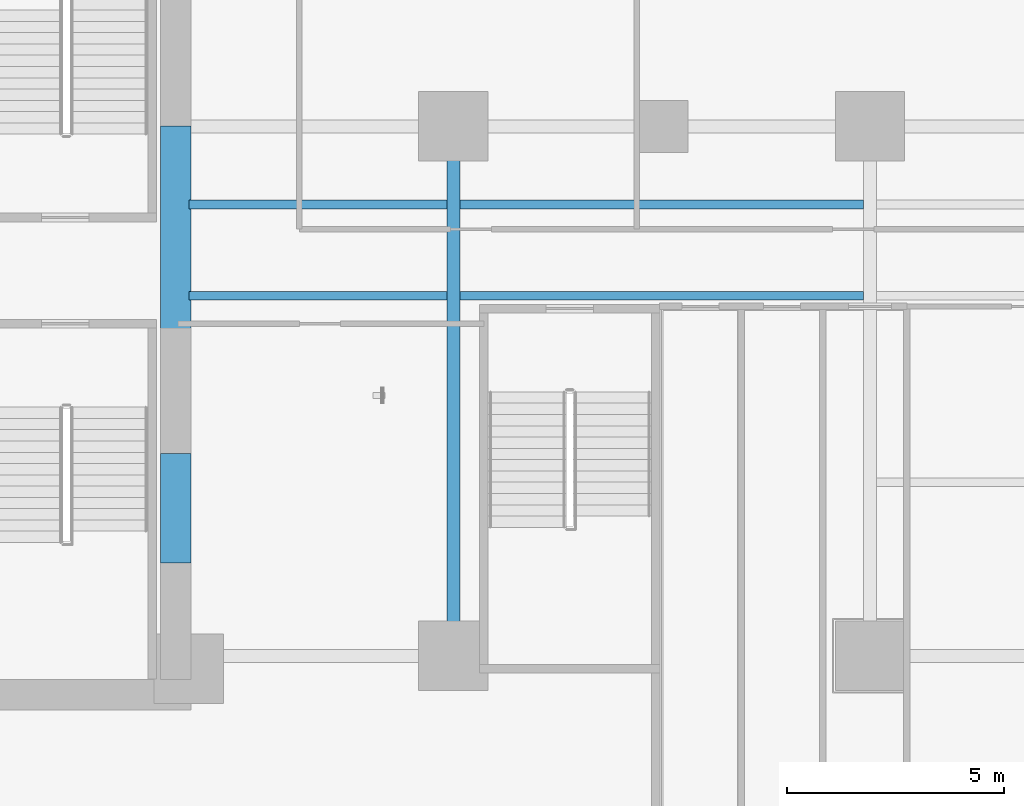
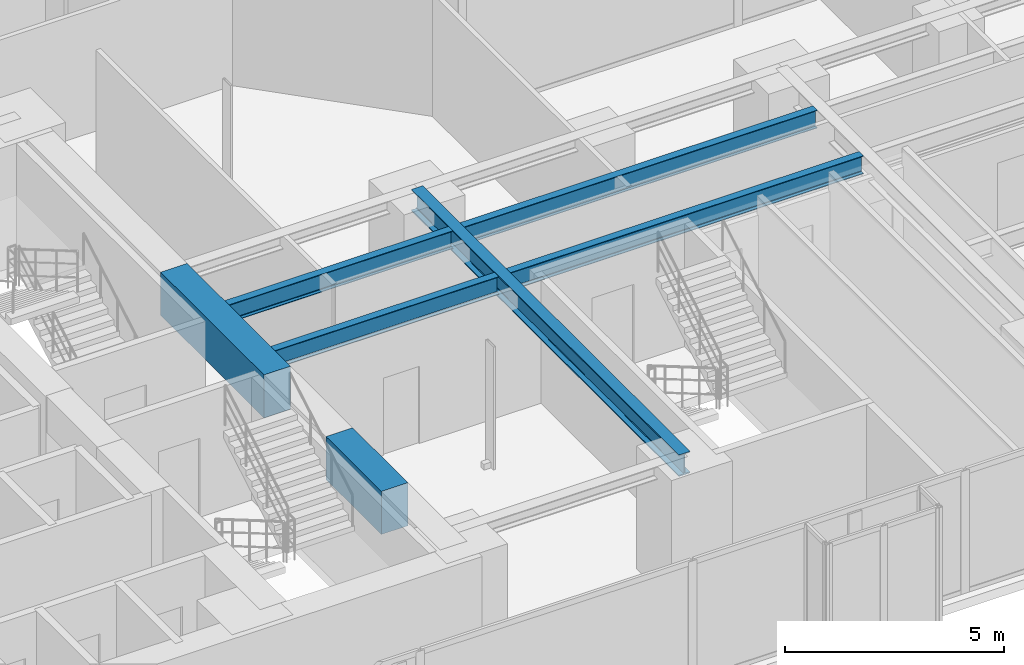
# One storey, part 5 of 28: 7 beams.
"""IFC4 building model written with IfcOpenShell, lengths in metres."""

from ifc_helpers import new_model, si_unit, direction, frame, origin, origin_2d, place, context, subcontext, project, spatial, rectangle, i_section, extrude, material, material_profile, profile_set, type_object, element, save


model = new_model("IFC4")

# Units and contexts
model_context = context("Model", 3, precision=1e-05, world=origin(), true_north=direction((0.0, 1.0)))
body_context = subcontext(model_context, "Body", "Model", "MODEL_VIEW")
ifc_project = project(units=[si_unit("LENGTHUNIT", "METRE"), si_unit("AREAUNIT", "SQUARE_METRE"), si_unit("VOLUMEUNIT", "CUBIC_METRE"), si_unit("PLANEANGLEUNIT", "RADIAN"), si_unit("MASSUNIT", "GRAM", prefix="KILO")], contexts=[model_context])

# Site, building, storey
site_placement = place(None, origin())
site = spatial("IfcSite", under=ifc_project, at=site_placement, CompositionType="ELEMENT")
building_placement = place(site_placement, origin())
building = spatial("IfcBuilding", under=site, at=building_placement, Name="Kolvaren Waterfront Exchange", CompositionType="ELEMENT")
storey_placement = place(building_placement, frame((0.0, 0.0, 79.0)))
storey = spatial("IfcBuildingStorey", under=building, at=storey_placement, Name="L20", CompositionType="ELEMENT", Elevation=79.0)

# Beams
ifc_material_1 = material(Name="Steel S355", Category="steel")
ifc_material_profile_1 = material_profile(ifc_material_1, i_section(OverallWidth=0.300048828125, OverallDepth=0.60009765625, WebThickness=0.015380859375, FlangeThickness=0.030029296875, FilletRadius=0.027099609375, at=origin_2d()), Name="HEB600")
ifc_profile_set_1 = profile_set([ifc_material_profile_1], Name="Steel S355")
beam_type_1 = type_object("IfcBeamType", Name="STR-BM-HEB600", PredefinedType="BEAM", material=ifc_profile_set_1)
beam_1_placement = place(storey_placement, frame((27.199951171875, 5.199951171875, 3.1201171875), z_axis=(0.0, 1.0, 0.0), x_axis=(-1.0, 0.0, 0.0)))
element("IfcBeam", 1, at=beam_1_placement, inside=storey, type_object=beam_type_1, Name="L20 east-arm transverse girder X27", PredefinedType="BEAM", context=body_context, shape_type="SweptSolid", body=[
    extrude(i_section(OverallWidth=0.300048828125, OverallDepth=0.60009765625, WebThickness=0.015380859375, FlangeThickness=0.030029296875, FilletRadius=0.027099609375, at=origin_2d()), origin(), (0.0, 0.0, 1.0), 12.199951171875),
])
ifc_material_profile_2 = material_profile(ifc_material_1, i_section(OverallWidth=0.199951171875, OverallDepth=0.5, WebThickness=0.01025390625, FlangeThickness=0.01611328125, FilletRadius=0.02099609375, at=origin_2d()), Name="IPE500")
ifc_profile_set_2 = profile_set([ifc_material_profile_2], Name="Steel S355")
beam_type_2 = type_object("IfcBeamType", Name="STR-BM-IPE500", PredefinedType="JOIST", material=ifc_profile_set_2)
for number, where, z_axis, x_axis, name in (
    (2, (21.10009765625, 13.5, 3.169921875), (1.0, 0.0, 0.0), (0.0, 1.0, 0.0), "L20 east-arm composite joist 1A"),
    (3, (21.10009765625, 15.60009765625, 3.169921875), (1.0, 0.0, 0.0), (0.0, 1.0, 0.0), "L20 east-arm composite joist 1C"),
):
    element("IfcBeam", number, at=place(storey_placement, frame(where, z_axis=z_axis, x_axis=x_axis)), inside=storey, type_object=beam_type_2, Name=name, PredefinedType="JOIST", context=body_context, shape_type="SweptSolid", body=[
        extrude(i_section(OverallWidth=0.199951171875, OverallDepth=0.5, WebThickness=0.01025390625, FlangeThickness=0.01611328125, FilletRadius=0.02099609375, at=origin_2d()), origin(), (0.0, 0.0, 1.0), 5.947998046875),
    ])
for number, where, z_axis, x_axis, name in (
    (4, (27.35205078125, 13.5, 3.169921875), (1.0, 0.0, 0.0), (0.0, 1.0, 0.0), "L20 east-arm composite joist 2A"),
    (5, (27.35205078125, 15.60009765625, 3.169921875), (1.0, 0.0, 0.0), (0.0, 1.0, 0.0), "L20 east-arm composite joist 2C"),
):
    element("IfcBeam", number, at=place(storey_placement, frame(where, z_axis=z_axis, x_axis=x_axis)), inside=storey, type_object=beam_type_2, Name=name, PredefinedType="JOIST", context=body_context, shape_type="SweptSolid", body=[
        extrude(i_section(OverallWidth=0.199951171875, OverallDepth=0.5, WebThickness=0.01025390625, FlangeThickness=0.01611328125, FilletRadius=0.02099609375, at=origin_2d()), origin(), (0.0, 0.0, 1.0), 9.2958984375),
    ])
ifc_material_2 = material(Name="Concrete C70/85", Category="concrete")
ifc_material_profile_3 = material_profile(ifc_material_2, rectangle(XDim=0.699951171875, YDim=1.199951171875, at=origin_2d()), Name="RC-CB-1200x700")
ifc_profile_set_3 = profile_set([ifc_material_profile_3], Name="Concrete C70/85")
beam_type_3 = type_object("IfcBeamType", Name="STR-CB-1200", PredefinedType="SPANDREL", material=ifc_profile_set_3)
beam_2_placement = place(storey_placement, frame((20.800048828125, 7.340087890625, 2.820068359375), z_axis=(0.0, 1.0, 0.0), x_axis=(-1.0, 0.0, 0.0)))
element("IfcBeam", 6, at=beam_2_placement, inside=storey, type_object=beam_type_3, Name="L20 core coupling beam 1", PredefinedType="SPANDREL", context=body_context, shape_type="SweptSolid", body=[
    extrude(rectangle(XDim=0.699951171875, YDim=1.199951171875, at=origin_2d()), origin(), (0.0, 0.0, 1.0), 2.52001953125),
])
beam_3_placement = place(storey_placement, frame((20.800048828125, 12.68994140625, 2.820068359375), z_axis=(0.0, 1.0, 0.0), x_axis=(-1.0, 0.0, 0.0)))
element("IfcBeam", 7, at=beam_3_placement, inside=storey, type_object=beam_type_3, Name="L20 core coupling beam 2", PredefinedType="SPANDREL", context=body_context, shape_type="SweptSolid", body=[
    extrude(rectangle(XDim=0.699951171875, YDim=1.199951171875, at=origin_2d()), origin(), (0.0, 0.0, 1.0), 4.719970703125),
])

save(model, "model.ifc")
